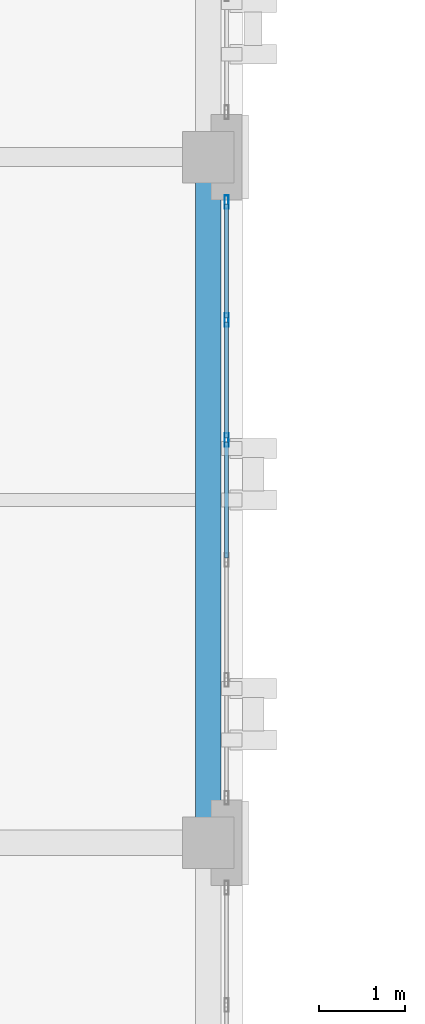
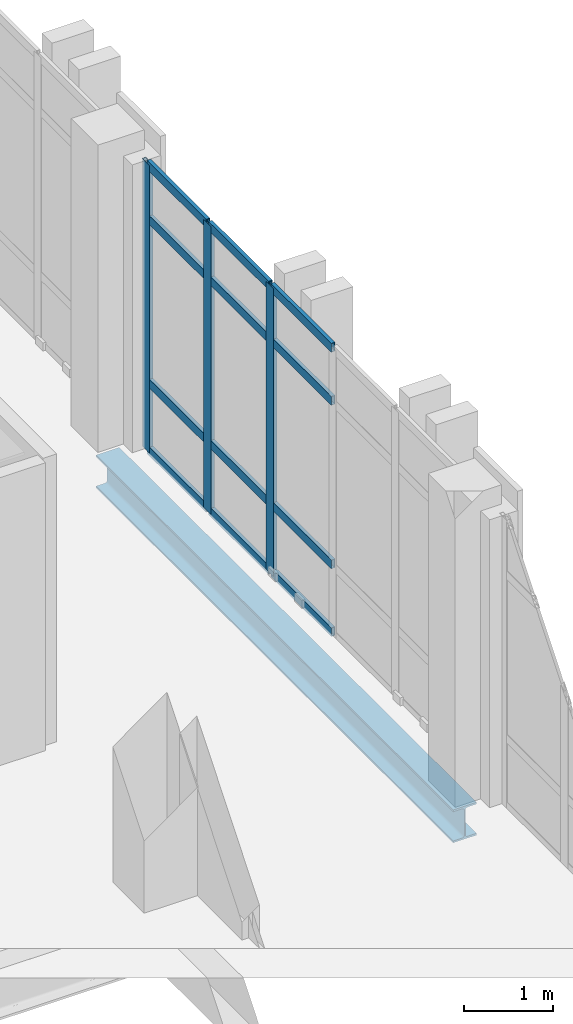
# One storey, part 8 of 77: 15 members, 1 beam, 1 element without a shape of its own.
"""IFC4 building model written with IfcOpenShell, lengths in metres."""

from ifc_helpers import new_model, si_unit, direction, frame, origin, origin_2d, place, context, subcontext, project, spatial, hollow_rectangle, i_section, extrude, material, layer, layer_set, material_profile, profile_set, type_object, element, aggregate, save


model = new_model("IFC4")

# Units and contexts
model_context = context("Model", 3, precision=1e-05, world=origin(), true_north=direction((0.0, 1.0)))
body_context = subcontext(model_context, "Body", "Model", "MODEL_VIEW")
ifc_project = project(units=[si_unit("LENGTHUNIT", "METRE"), si_unit("AREAUNIT", "SQUARE_METRE"), si_unit("VOLUMEUNIT", "CUBIC_METRE"), si_unit("PLANEANGLEUNIT", "RADIAN"), si_unit("MASSUNIT", "GRAM", prefix="KILO")], contexts=[model_context])

# Site, building, storey
site_placement = place(None, origin())
site = spatial("IfcSite", under=ifc_project, at=site_placement, CompositionType="ELEMENT")
building_placement = place(site_placement, origin())
building = spatial("IfcBuilding", under=site, at=building_placement, Name="Qalavern Law Courts", CompositionType="ELEMENT")
storey_placement = place(building_placement, frame((0.0, 0.0, 27.0)))
storey = spatial("IfcBuildingStorey", under=building, at=storey_placement, Name="L06", CompositionType="ELEMENT", Elevation=27.0)

# Curtain wall, members
ifc_material_1 = material(Name="Anodised aluminium and insulated glazing", Category="aluminium")
ifc_layer = layer(ifc_material_1, 0.159912109375)
ifc_layer_set = layer_set([ifc_layer], Name="Anodised aluminium and insulated glazing")
curtain_wall_type = type_object("IfcCurtainWallType", Name="ENV-CW-CHAMB", PredefinedType="USERDEFINED", material=ifc_layer_set)
curtain_wall_placement = place(storey_placement, origin())
curtain_wall = element("IfcCurtainWall", 1, at=curtain_wall_placement, inside=storey, type_object=curtain_wall_type, Name="V3 unitised curtain wall L06 east 2", ObjectType="UNITISED CURTAIN WALL", PredefinedType="USERDEFINED")
ifc_material_2 = material(Name="Anodised aluminium", Category="aluminium")
ifc_material_profile_1 = material_profile(ifc_material_2, hollow_rectangle(XDim=0.048095703125, YDim=0.159912109375, WallThickness=0.00390625, at=origin_2d()), Name="ALU MULLION 48x160")
ifc_profile_set_1 = profile_set([ifc_material_profile_1], Name="Anodised aluminium")
member_type_1 = type_object("IfcMemberType", Name="ENV-CWM-48x160", PredefinedType="MULLION", material=ifc_profile_set_1)
member_1_placement = place(storey_placement, frame((18.614990234375, 54.10009765625, 0.0), z_axis=(0.0, 0.0, 1.0), x_axis=(-1.0, 0.0, 0.0)))
member_1 = element("IfcMember", 2, at=member_1_placement, type_object=member_type_1, Name="CW-04 mullion 4", PredefinedType="MULLION", context=body_context, shape_type="SweptSolid", body=[
    extrude(hollow_rectangle(XDim=0.048095703125, YDim=0.159912109375, WallThickness=0.00390625, at=origin_2d()), origin(), (0.0, 0.0, 1.0), 3.93505859375),
])
member_2_placement = place(storey_placement, frame((18.614990234375, 55.5, 0.0), z_axis=(0.0, 0.0, 1.0), x_axis=(-1.0, 0.0, 0.0)))
member_2 = element("IfcMember", 3, at=member_2_placement, type_object=member_type_1, Name="CW-04 mullion 5", PredefinedType="MULLION", context=body_context, shape_type="SweptSolid", body=[
    extrude(hollow_rectangle(XDim=0.048095703125, YDim=0.159912109375, WallThickness=0.00390625, at=origin_2d()), origin(), (0.0, 0.0, 1.0), 3.93505859375),
])
member_3_placement = place(storey_placement, frame((18.614990234375, 56.8759765625, 0.0), z_axis=(0.0, 0.0, 1.0), x_axis=(-1.0, 0.0, 0.0)))
member_3 = element("IfcMember", 4, at=member_3_placement, type_object=member_type_1, Name="CW-04 mullion 6", PredefinedType="MULLION", context=body_context, shape_type="SweptSolid", body=[
    extrude(hollow_rectangle(XDim=0.048095703125, YDim=0.159912109375, WallThickness=0.00390625, at=origin_2d()), origin(), (0.0, 0.0, 1.0), 3.93505859375),
])
ifc_material_profile_2 = material_profile(ifc_material_2, hollow_rectangle(XDim=0.048095703125, YDim=0.1201171875, WallThickness=0.00390625, at=origin_2d()), Name="ALU TRANSOM 48x120")
ifc_profile_set_2 = profile_set([ifc_material_profile_2], Name="Anodised aluminium")
member_type_2 = type_object("IfcMemberType", Name="ENV-CWT-48x120", PredefinedType="USERDEFINED", material=ifc_profile_set_2)
member_4_placement = place(storey_placement, frame((18.614990234375, 52.72412109375, 0.02392578125), z_axis=(0.0, 1.0, 0.0), x_axis=(-1.0, 0.0, 0.0)))
member_4 = element("IfcMember", 5, at=member_4_placement, type_object=member_type_2, Name="CW-04 transom 3.1", ObjectType="TRANSOM", PredefinedType="USERDEFINED", context=body_context, shape_type="SweptSolid", body=[
    extrude(hollow_rectangle(XDim=0.048095703125, YDim=0.1201171875, WallThickness=0.00390625, at=origin_2d()), origin(), (0.0, 0.0, 1.0), 1.351806640625),
])
member_5_placement = place(storey_placement, frame((18.614990234375, 52.72412109375, 0.949951171875), z_axis=(0.0, 1.0, 0.0), x_axis=(-1.0, 0.0, 0.0)))
member_5 = element("IfcMember", 6, at=member_5_placement, type_object=member_type_2, Name="CW-04 transom 3.2", ObjectType="TRANSOM", PredefinedType="USERDEFINED", context=body_context, shape_type="SweptSolid", body=[
    extrude(hollow_rectangle(XDim=0.048095703125, YDim=0.1201171875, WallThickness=0.00390625, at=origin_2d()), origin(), (0.0, 0.0, 1.0), 1.351806640625),
])
member_6_placement = place(storey_placement, frame((18.614990234375, 52.72412109375, 3.18505859375), z_axis=(0.0, 1.0, 0.0), x_axis=(-1.0, 0.0, 0.0)))
member_6 = element("IfcMember", 7, at=member_6_placement, type_object=member_type_2, Name="CW-04 transom 3.3", ObjectType="TRANSOM", PredefinedType="USERDEFINED", context=body_context, shape_type="SweptSolid", body=[
    extrude(hollow_rectangle(XDim=0.048095703125, YDim=0.1201171875, WallThickness=0.00390625, at=origin_2d()), origin(), (0.0, 0.0, 1.0), 1.351806640625),
])
member_7_placement = place(storey_placement, frame((18.614990234375, 52.72412109375, 3.910888671875), z_axis=(0.0, 1.0, 0.0), x_axis=(-1.0, 0.0, 0.0)))
member_7 = element("IfcMember", 8, at=member_7_placement, type_object=member_type_2, Name="CW-04 transom 3.4", ObjectType="TRANSOM", PredefinedType="USERDEFINED", context=body_context, shape_type="SweptSolid", body=[
    extrude(hollow_rectangle(XDim=0.048095703125, YDim=0.1201171875, WallThickness=0.00390625, at=origin_2d()), origin(), (0.0, 0.0, 1.0), 1.351806640625),
])
member_8_placement = place(storey_placement, frame((18.614990234375, 54.1240234375, 0.02392578125), z_axis=(0.0, 1.0, 0.0), x_axis=(-1.0, 0.0, 0.0)))
member_8 = element("IfcMember", 9, at=member_8_placement, type_object=member_type_2, Name="CW-04 transom 4.1", ObjectType="TRANSOM", PredefinedType="USERDEFINED", context=body_context, shape_type="SweptSolid", body=[
    extrude(hollow_rectangle(XDim=0.048095703125, YDim=0.1201171875, WallThickness=0.00390625, at=origin_2d()), origin(), (0.0, 0.0, 1.0), 1.35205078125),
])
member_9_placement = place(storey_placement, frame((18.614990234375, 54.1240234375, 0.949951171875), z_axis=(0.0, 1.0, 0.0), x_axis=(-1.0, 0.0, 0.0)))
member_9 = element("IfcMember", 10, at=member_9_placement, type_object=member_type_2, Name="CW-04 transom 4.2", ObjectType="TRANSOM", PredefinedType="USERDEFINED", context=body_context, shape_type="SweptSolid", body=[
    extrude(hollow_rectangle(XDim=0.048095703125, YDim=0.1201171875, WallThickness=0.00390625, at=origin_2d()), origin(), (0.0, 0.0, 1.0), 1.35205078125),
])
member_10_placement = place(storey_placement, frame((18.614990234375, 54.1240234375, 3.18505859375), z_axis=(0.0, 1.0, 0.0), x_axis=(-1.0, 0.0, 0.0)))
member_10 = element("IfcMember", 11, at=member_10_placement, type_object=member_type_2, Name="CW-04 transom 4.3", ObjectType="TRANSOM", PredefinedType="USERDEFINED", context=body_context, shape_type="SweptSolid", body=[
    extrude(hollow_rectangle(XDim=0.048095703125, YDim=0.1201171875, WallThickness=0.00390625, at=origin_2d()), origin(), (0.0, 0.0, 1.0), 1.35205078125),
])
member_11_placement = place(storey_placement, frame((18.614990234375, 54.1240234375, 3.910888671875), z_axis=(0.0, 1.0, 0.0), x_axis=(-1.0, 0.0, 0.0)))
member_11 = element("IfcMember", 12, at=member_11_placement, type_object=member_type_2, Name="CW-04 transom 4.4", ObjectType="TRANSOM", PredefinedType="USERDEFINED", context=body_context, shape_type="SweptSolid", body=[
    extrude(hollow_rectangle(XDim=0.048095703125, YDim=0.1201171875, WallThickness=0.00390625, at=origin_2d()), origin(), (0.0, 0.0, 1.0), 1.35205078125),
])
member_12_placement = place(storey_placement, frame((18.614990234375, 55.52392578125, 0.02392578125), z_axis=(0.0, 1.0, 0.0), x_axis=(-1.0, 0.0, 0.0)))
member_12 = element("IfcMember", 13, at=member_12_placement, type_object=member_type_2, Name="CW-04 transom 5.1", ObjectType="TRANSOM", PredefinedType="USERDEFINED", context=body_context, shape_type="SweptSolid", body=[
    extrude(hollow_rectangle(XDim=0.048095703125, YDim=0.1201171875, WallThickness=0.00390625, at=origin_2d()), origin(), (0.0, 0.0, 1.0), 1.328125),
])
member_13_placement = place(storey_placement, frame((18.614990234375, 55.52392578125, 0.949951171875), z_axis=(0.0, 1.0, 0.0), x_axis=(-1.0, 0.0, 0.0)))
member_13 = element("IfcMember", 14, at=member_13_placement, type_object=member_type_2, Name="CW-04 transom 5.2", ObjectType="TRANSOM", PredefinedType="USERDEFINED", context=body_context, shape_type="SweptSolid", body=[
    extrude(hollow_rectangle(XDim=0.048095703125, YDim=0.1201171875, WallThickness=0.00390625, at=origin_2d()), origin(), (0.0, 0.0, 1.0), 1.328125),
])
member_14_placement = place(storey_placement, frame((18.614990234375, 55.52392578125, 3.18505859375), z_axis=(0.0, 1.0, 0.0), x_axis=(-1.0, 0.0, 0.0)))
member_14 = element("IfcMember", 15, at=member_14_placement, type_object=member_type_2, Name="CW-04 transom 5.3", ObjectType="TRANSOM", PredefinedType="USERDEFINED", context=body_context, shape_type="SweptSolid", body=[
    extrude(hollow_rectangle(XDim=0.048095703125, YDim=0.1201171875, WallThickness=0.00390625, at=origin_2d()), origin(), (0.0, 0.0, 1.0), 1.328125),
])
member_15_placement = place(storey_placement, frame((18.614990234375, 55.52392578125, 3.910888671875), z_axis=(0.0, 1.0, 0.0), x_axis=(-1.0, 0.0, 0.0)))
member_15 = element("IfcMember", 16, at=member_15_placement, type_object=member_type_2, Name="CW-04 transom 5.4", ObjectType="TRANSOM", PredefinedType="USERDEFINED", context=body_context, shape_type="SweptSolid", body=[
    extrude(hollow_rectangle(XDim=0.048095703125, YDim=0.1201171875, WallThickness=0.00390625, at=origin_2d()), origin(), (0.0, 0.0, 1.0), 1.328125),
])
aggregate(curtain_wall, [member_1, member_2, member_3, member_4, member_5, member_6, member_7, member_8, member_9, member_10, member_11, member_12, member_13, member_14, member_15])

# Beam
ifc_material_3 = material(Name="Steel S355", Category="steel")
ifc_material_profile_3 = material_profile(ifc_material_3, i_section(OverallWidth=0.300048828125, OverallDepth=0.449951171875, WebThickness=0.013916015625, FlangeThickness=0.02587890625, FilletRadius=0.027099609375, at=origin_2d()), Name="HEB 450")
ifc_profile_set_3 = profile_set([ifc_material_profile_3], Name="Steel S355")
beam_type = type_object("IfcBeamType", Name="STR-SP-HEB450", PredefinedType="SPANDREL", material=ifc_profile_set_3)
beam_placement = place(storey_placement, frame((18.39990234375, 49.39990234375, -0.4951171875), z_axis=(0.0, 1.0, 0.0), x_axis=(-1.0, 0.0, 0.0)))
element("IfcBeam", 17, at=beam_placement, inside=storey, type_object=beam_type, Name="V3 Y-beam 3-2 L06", PredefinedType="SPANDREL", context=body_context, shape_type="SweptSolid", body=[
    extrude(i_section(OverallWidth=0.300048828125, OverallDepth=0.449951171875, WebThickness=0.013916015625, FlangeThickness=0.02587890625, FilletRadius=0.027099609375, at=origin_2d()), origin(), (0.0, 0.0, 1.0), 8.0),
])

save(model, "model.ifc")
